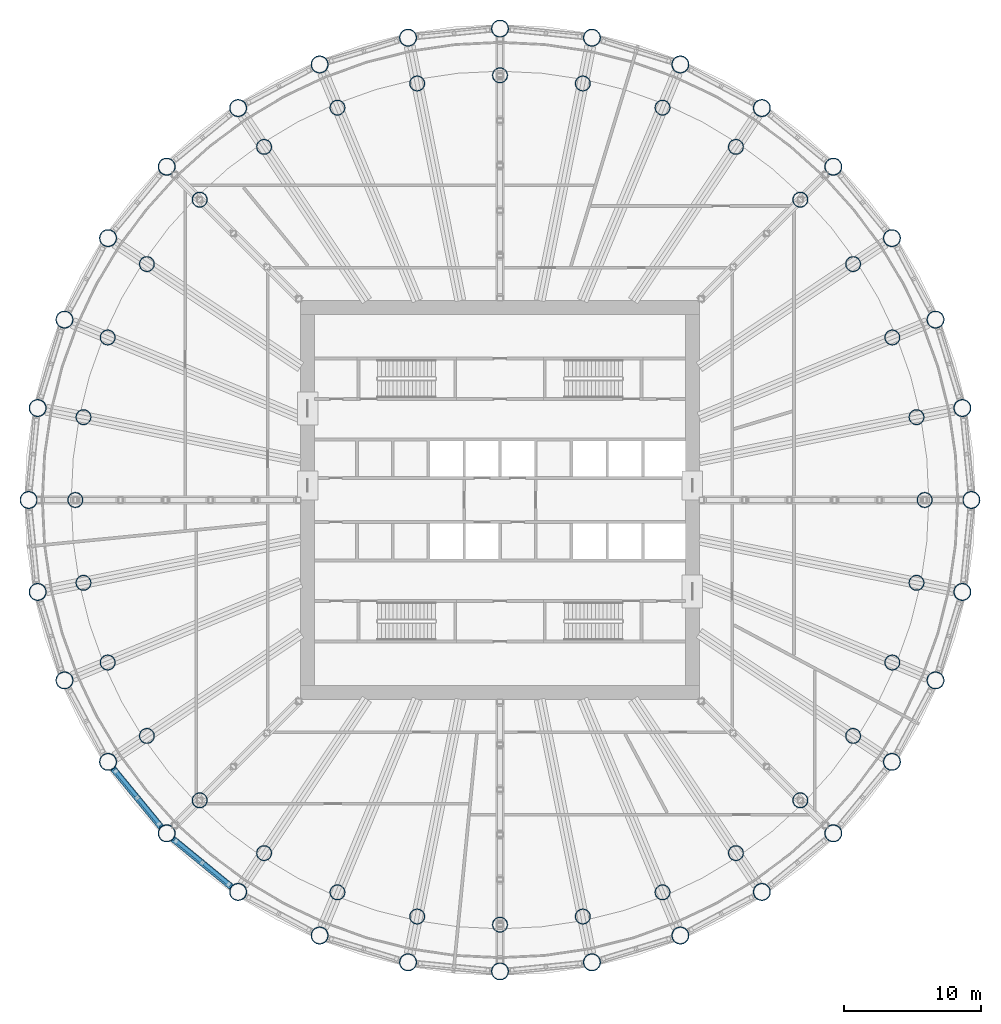
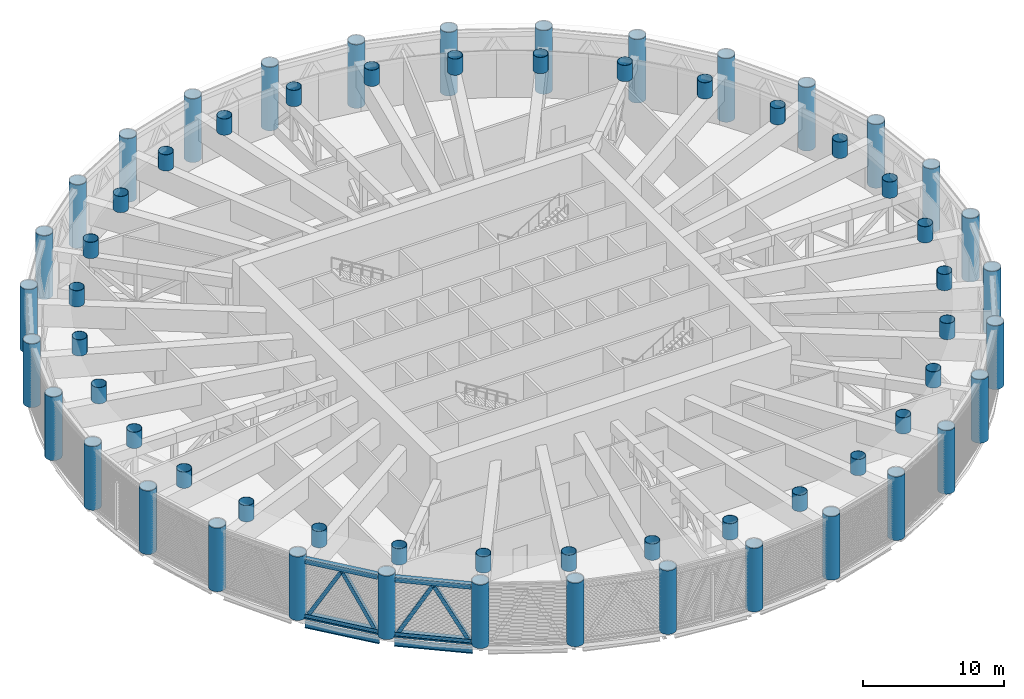
# One storey, part 1 of 29: 64 columns, 10 members, 2 beams, 2 elements without a shape of their own.
"""IFC4 building model written with IfcOpenShell, lengths in metres."""

import ifcopenshell
import ifcopenshell.guid

model = None  # the IFC model being written
_history = None  # IfcOwnerHistory: only IFC2X3 demands one
_inside = {}  # id of a spatial element -> (the spatial element, [elements in it])
_under = {}  # id of a project, library or spatial element -> (it, [spatial elements below it])
_declared = {}  # id of a project -> (the project, [libraries it declares])
_typed = {}  # id of a type object -> (the type object, [elements of that type])
_made_of = {}  # id of a material, layer set ... -> (it, [elements and type objects made of it])


def new_model(schema):
    """Start an empty IFC model of exactly this schema.

    Asked for "IFC4X3", IfcOpenShell would pick the latest addendum, in which some entities
    have other attributes; the version numbers below select the first issue.
    IFC2X3 requires an IfcOwnerHistory on every rooted entity: one is made here for all.
    """
    global model, _history
    if schema == "IFC4X3":
        model = ifcopenshell.file(schema_version=(4, 3, 0, 0))
    else:
        model = ifcopenshell.file(schema=schema)
    _inside.clear()
    _under.clear()
    _declared.clear()
    _typed.clear()
    _made_of.clear()
    _history = None
    if model.schema == "IFC2X3":
        org = make("IfcOrganization", Name="unknown")
        user = make(
            "IfcPersonAndOrganization",
            ThePerson=make("IfcPerson", FamilyName="unknown"),
            TheOrganization=org,
        )
        app = make(
            "IfcApplication",
            ApplicationDeveloper=org,
            Version="unknown",
            ApplicationFullName="unknown",
            ApplicationIdentifier="unknown",
        )
        _history = make(
            "IfcOwnerHistory",
            OwningUser=user,
            OwningApplication=app,
            ChangeAction="ADDED",
            CreationDate=0,
        )
    return model


def make(cls, **values):
    """One entity of the class cls with the attributes given. An attribute that is None is left unset."""
    return model.create_entity(
        cls, **{name: value for name, value in values.items() if value is not None}
    )


def rooted(cls, **values):
    """An entity with a GlobalId (a new one), such as an element, a storey or a relation."""
    return make(cls, GlobalId=ifcopenshell.guid.new(), OwnerHistory=_history, **values)


def si_unit(unit_type, name, prefix=None):
    """IfcSIUnit, for example si_unit("LENGTHUNIT", "METRE", prefix="MILLI")."""
    return make("IfcSIUnit", UnitType=unit_type, Prefix=prefix, Name=name)


def assignment(units):
    """IfcUnitAssignment: the units of a project."""
    return None if units is None else make("IfcUnitAssignment", Units=units)


def point(xyz):
    """IfcCartesianPoint."""
    return None if xyz is None else make("IfcCartesianPoint", Coordinates=xyz)


def direction(xyz):
    """IfcDirection."""
    return None if xyz is None else make("IfcDirection", DirectionRatios=xyz)


def frame(location, z_axis=None, x_axis=None):
    """IfcAxis2Placement3D, a coordinate frame: its origin and axes. An axis left out is left unset."""
    return make(
        "IfcAxis2Placement3D",
        Location=point(location),
        Axis=direction(z_axis),
        RefDirection=direction(x_axis),
    )


def frame_2d(location, x_axis=None):
    """IfcAxis2Placement2D, a coordinate frame in the plane: its origin and x axis."""
    return make(
        "IfcAxis2Placement2D", Location=point(location), RefDirection=direction(x_axis)
    )


def origin():
    """The frame at (0, 0, 0) with its axes left unset."""
    return frame((0.0, 0.0, 0.0))


def origin_2d():
    """The frame at (0, 0) in the plane with its x axis left unset."""
    return frame_2d((0.0, 0.0))


def place(relative_to, where):
    """IfcLocalPlacement: puts the frame where relative to a parent placement (None: the world)."""
    return make(
        "IfcLocalPlacement", PlacementRelTo=relative_to, RelativePlacement=where
    )


def context(
    kind, dimensions, precision=None, world=None, true_north=None, identifier=None
):
    """IfcGeometricRepresentationContext, for example the 3D "Model" context."""
    return make(
        "IfcGeometricRepresentationContext",
        ContextIdentifier=identifier,
        ContextType=kind,
        CoordinateSpaceDimension=dimensions,
        Precision=precision,
        WorldCoordinateSystem=world,
        TrueNorth=true_north,
    )


def subcontext(parent, identifier, kind, view, scale=None):
    """IfcGeometricRepresentationSubContext, for example "Body" below "Model"."""
    return make(
        "IfcGeometricRepresentationSubContext",
        ContextIdentifier=identifier,
        ContextType=kind,
        ParentContext=parent,
        TargetScale=scale,
        TargetView=view,
    )


def project(units=None, contexts=None):
    """IfcProject with its units and contexts."""
    return rooted(
        "IfcProject",
        Name="project",
        RepresentationContexts=contexts,
        UnitsInContext=assignment(units),
    )


def spatial(cls, under=None, at=None, **own):
    """A site, building, storey or space (cls), placed at a placement, below another one or the project."""
    s = rooted(cls, ObjectPlacement=at, **own)
    if under is not None:
        _under.setdefault(under.id(), (under, []))[1].append(s)
    return s


def profile(cls, at=None, kind="AREA", **sizes):
    """A parametric profile (cls). Its sizes go by their IFC names, for example OverallWidth=200.0."""
    return make(cls, ProfileType=kind, Position=at, **sizes)


def rectangle(**sizes):
    """IfcRectangleProfileDef."""
    return profile("IfcRectangleProfileDef", **sizes)


def hollow_rectangle(**sizes):
    """IfcRectangleHollowProfileDef."""
    return profile("IfcRectangleHollowProfileDef", **sizes)


def hollow_circle(**sizes):
    """IfcCircleHollowProfileDef."""
    return profile("IfcCircleHollowProfileDef", **sizes)


def i_section(**sizes):
    """IfcIShapeProfileDef."""
    return profile("IfcIShapeProfileDef", **sizes)


def extrude(swept, where, along, depth):
    """IfcExtrudedAreaSolid: the profile swept, set in the frame where, extruded along a direction by depth."""
    return make(
        "IfcExtrudedAreaSolid",
        SweptArea=swept,
        Position=where,
        ExtrudedDirection=direction(along),
        Depth=depth,
    )


def shape(context_of_items, identifier, shape_type, items):
    """IfcShapeRepresentation: the items that make up one representation, for example the "Body"."""
    return make(
        "IfcShapeRepresentation",
        ContextOfItems=context_of_items,
        RepresentationIdentifier=identifier,
        RepresentationType=shape_type,
        Items=items,
    )


def material(Name=None, Category=None):
    """IfcMaterial."""
    return make("IfcMaterial", Name=Name, Category=Category)


def material_profile(
    of_material, cross_section, Name=None, Category=None, Priority=None
):
    """IfcMaterialProfile: a cross section and its material."""
    return make(
        "IfcMaterialProfile",
        Name=Name,
        Material=of_material,
        Profile=cross_section,
        Priority=Priority,
        Category=Category,
    )


def profile_set(profiles, Name=None, composite=None):
    """IfcMaterialProfileSet."""
    return make(
        "IfcMaterialProfileSet",
        Name=Name,
        MaterialProfiles=profiles,
        CompositeProfile=composite,
    )


def made_of(thing, what):
    """Note that an element or type object is made of a material, layer set ...; save() writes the relation."""
    if what is not None:
        _made_of.setdefault(what.id(), (what, []))[1].append(thing)
    return thing


def type_object(cls, material=None, **own):
    """A type object (cls), such as IfcWallType, which elements share."""
    return made_of(rooted(cls, **own), material)


def element(
    cls,
    number,
    at=None,
    inside=None,
    cuts=None,
    type_object=None,
    material=None,
    context=None,
    identifier="Body",
    shape_type=None,
    held_by="IfcProductDefinitionShape",
    body=None,
    shapes=None,
    **own,
):
    """One element of the class cls, such as IfcWall. Its Tag is "e" and its number.

    at: its placement. inside: the storey or other place that contains it. cuts: it is an
    opening in that element (IfcRelVoidsElement). A single representation is given by context,
    identifier, shape_type and body (its items); several are given by shapes. held_by: the class
    of the entity that holds the representations. save() writes the other relations.
    """
    e = rooted(cls, Tag="e%d" % number, ObjectPlacement=at, **own)
    if body is not None:
        shapes = [shape(context, identifier, shape_type, body)]
    if shapes is not None:
        e.Representation = make(held_by, Representations=shapes)
    if inside is not None:
        _inside.setdefault(inside.id(), (inside, []))[1].append(e)
    if cuts is not None:
        rooted(
            "IfcRelVoidsElement", RelatingBuildingElement=cuts, RelatedOpeningElement=e
        )
    if type_object is not None:
        _typed.setdefault(type_object.id(), (type_object, []))[1].append(e)
    return made_of(e, material)


def aggregate(whole, parts):
    """IfcRelAggregates: a whole, such as a stair, and the parts it consists of."""
    return rooted("IfcRelAggregates", RelatingObject=whole, RelatedObjects=parts)


def save(model, path):
    """Write the relations noted so far, then the file.

    IfcRelAggregates (storeys below a building ...), IfcRelContainedInSpatialStructure (elements
    in a storey), IfcRelDefinesByType, IfcRelAssociatesMaterial and IfcRelDeclares: one each for
    every whole, place, type object, material and project.
    """
    for whole, parts in _under.values():
        aggregate(whole, parts)
    for where, things in _inside.values():
        rooted(
            "IfcRelContainedInSpatialStructure",
            RelatedElements=things,
            RelatingStructure=where,
        )
    for kind, things in _typed.values():
        rooted("IfcRelDefinesByType", RelatedObjects=things, RelatingType=kind)
    for what, things in _made_of.values():
        rooted("IfcRelAssociatesMaterial", RelatedObjects=things, RelatingMaterial=what)
    for by, libraries in _declared.values():
        rooted("IfcRelDeclares", RelatingContext=by, RelatedDefinitions=libraries)
    model.write(path)


model = new_model("IFC4")

# Units and contexts
model_context = context("Model", 3, precision=1e-05, world=origin(), true_north=direction((0.0, 1.0)))
body_context = subcontext(model_context, "Body", "Model", "MODEL_VIEW")
ifc_project = project(units=[si_unit("LENGTHUNIT", "METRE"), si_unit("AREAUNIT", "SQUARE_METRE"), si_unit("VOLUMEUNIT", "CUBIC_METRE"), si_unit("PLANEANGLEUNIT", "RADIAN"), si_unit("MASSUNIT", "GRAM", prefix="KILO")], contexts=[model_context])

# Site, building, storey
site_placement = place(None, origin())
site = spatial("IfcSite", under=ifc_project, at=site_placement, CompositionType="ELEMENT")
building_placement = place(site_placement, origin())
building = spatial("IfcBuilding", under=site, at=building_placement, Name="Corvane Civic Tower", CompositionType="ELEMENT")
storey_placement = place(building_placement, frame((0.0, 0.0, 138.5)))
storey = spatial("IfcBuildingStorey", under=building, at=storey_placement, Name="L32", CompositionType="ELEMENT", Elevation=138.5)

# Columns
ifc_material_1 = material(Name="Steel ASTM A572 Gr 50", Category="steel")
ifc_material_profile_1 = material_profile(ifc_material_1, hollow_circle(Radius=0.550048828125, WallThickness=0.031982421875, at=origin_2d()), Name="CHS1100X32")
ifc_profile_set_1 = profile_set([ifc_material_profile_1], Name="Steel ASTM A572 Gr 50")
column_type_1 = type_object("IfcColumnType", Name="COMPOSITE COLUMN CHS1100X32", PredefinedType="COLUMN", material=ifc_profile_set_1)
for number, where, z_axis, x_axis, name in (
    (1, (0.0, 30.89990234375, 4.10009765625), (0.0, 0.0, 1.0), (1.0, 0.0, 0.0), "COL-L32-C01"),
    (2, (6.0283203125, 30.30615234375, 4.10009765625), (0.0, 0.0, 1.0), (1.0, 0.0, 0.0), "COL-L32-C02"),
    (3, (11.824951171875, 28.5478515625, 4.10009765625), (0.0, 0.0, 1.0), (1.0, 0.0, 0.0), "COL-L32-C03"),
    (4, (17.167236328125, 25.6923828125, 4.10009765625), (0.0, 0.0, 1.0), (1.0, 0.0, 0.0), "COL-L32-C04"),
    (5, (21.849609375, 21.849609375, 4.10009765625), (0.0, 0.0, 1.0), (1.0, 0.0, 0.0), "COL-L32-C05"),
    (6, (25.6923828125, 17.167236328125, 4.10009765625), (0.0, 0.0, 1.0), (1.0, 0.0, 0.0), "COL-L32-C06"),
    (7, (28.5478515625, 11.824951171875, 4.10009765625), (0.0, 0.0, 1.0), (1.0, 0.0, 0.0), "COL-L32-C07"),
    (8, (30.30615234375, 6.0283203125, 4.10009765625), (0.0, 0.0, 1.0), (1.0, 0.0, 0.0), "COL-L32-C08"),
    (9, (30.89990234375, 0.0, 4.10009765625), (0.0, 0.0, 1.0), (1.0, 0.0, 0.0), "COL-L32-C09"),
    (10, (30.30615234375, -6.0283203125, 4.10009765625), (0.0, 0.0, 1.0), (1.0, 0.0, 0.0), "COL-L32-C10"),
    (11, (28.5478515625, -11.824951171875, 4.10009765625), (0.0, 0.0, 1.0), (1.0, 0.0, 0.0), "COL-L32-C11"),
    (12, (25.6923828125, -17.167236328125, 4.10009765625), (0.0, 0.0, 1.0), (1.0, 0.0, 0.0), "COL-L32-C12"),
    (13, (21.849609375, -21.849609375, 4.10009765625), (0.0, 0.0, 1.0), (1.0, 0.0, 0.0), "COL-L32-C13"),
    (14, (17.167236328125, -25.6923828125, 4.10009765625), (0.0, 0.0, 1.0), (1.0, 0.0, 0.0), "COL-L32-C14"),
    (15, (11.824951171875, -28.5478515625, 4.10009765625), (0.0, 0.0, 1.0), (1.0, 0.0, 0.0), "COL-L32-C15"),
    (16, (6.0283203125, -30.30615234375, 4.10009765625), (0.0, 0.0, 1.0), (1.0, 0.0, 0.0), "COL-L32-C16"),
    (17, (0.0, -30.89990234375, 4.10009765625), (0.0, 0.0, 1.0), (1.0, 0.0, 0.0), "COL-L32-C17"),
    (18, (-6.0283203125, -30.30615234375, 4.10009765625), (0.0, 0.0, 1.0), (1.0, 0.0, 0.0), "COL-L32-C18"),
    (19, (-11.824951171875, -28.5478515625, 4.10009765625), (0.0, 0.0, 1.0), (1.0, 0.0, 0.0), "COL-L32-C19"),
    (20, (-17.167236328125, -25.6923828125, 4.10009765625), (0.0, 0.0, 1.0), (1.0, 0.0, 0.0), "COL-L32-C20"),
    (21, (-21.849609375, -21.849609375, 4.10009765625), (0.0, 0.0, 1.0), (1.0, 0.0, 0.0), "COL-L32-C21"),
    (22, (-25.6923828125, -17.167236328125, 4.10009765625), (0.0, 0.0, 1.0), (1.0, 0.0, 0.0), "COL-L32-C22"),
    (23, (-28.5478515625, -11.824951171875, 4.10009765625), (0.0, 0.0, 1.0), (1.0, 0.0, 0.0), "COL-L32-C23"),
    (24, (-30.30615234375, -6.0283203125, 4.10009765625), (0.0, 0.0, 1.0), (1.0, 0.0, 0.0), "COL-L32-C24"),
    (25, (-30.89990234375, 0.0, 4.10009765625), (0.0, 0.0, 1.0), (1.0, 0.0, 0.0), "COL-L32-C25"),
    (26, (-30.30615234375, 6.0283203125, 4.10009765625), (0.0, 0.0, 1.0), (1.0, 0.0, 0.0), "COL-L32-C26"),
    (27, (-28.5478515625, 11.824951171875, 4.10009765625), (0.0, 0.0, 1.0), (1.0, 0.0, 0.0), "COL-L32-C27"),
    (28, (-25.6923828125, 17.167236328125, 4.10009765625), (0.0, 0.0, 1.0), (1.0, 0.0, 0.0), "COL-L32-C28"),
    (29, (-21.849609375, 21.849609375, 4.10009765625), (0.0, 0.0, 1.0), (1.0, 0.0, 0.0), "COL-L32-C29"),
    (30, (-17.167236328125, 25.6923828125, 4.10009765625), (0.0, 0.0, 1.0), (1.0, 0.0, 0.0), "COL-L32-C30"),
    (31, (-11.824951171875, 28.5478515625, 4.10009765625), (0.0, 0.0, 1.0), (1.0, 0.0, 0.0), "COL-L32-C31"),
    (32, (-6.0283203125, 30.30615234375, 4.10009765625), (0.0, 0.0, 1.0), (1.0, 0.0, 0.0), "COL-L32-C32"),
):
    element("IfcColumn", number, at=place(storey_placement, frame(where, z_axis=z_axis, x_axis=x_axis)), inside=storey, type_object=column_type_1, Name=name, PredefinedType="COLUMN", context=body_context, shape_type="SweptSolid", body=[
        extrude(hollow_circle(Radius=0.550048828125, WallThickness=0.031982421875, at=origin_2d()), origin(), (0.0, 0.0, 1.0), 1.39990234375),
    ])
ifc_material_2 = material(Name="Steel ASTM A572 Gr 50", Category="steel")
ifc_material_profile_2 = material_profile(ifc_material_2, hollow_circle(Radius=0.625, WallThickness=0.035888671875, at=origin_2d()), Name="CHS1250X36")
ifc_profile_set_2 = profile_set([ifc_material_profile_2], Name="Steel ASTM A572 Gr 50")
column_type_2 = type_object("IfcColumnType", Name="COMPOSITE COLUMN CHS1250X36", PredefinedType="COLUMN", material=ifc_profile_set_2)
for number, where, z_axis, x_axis, name in (
    (33, (0.0, 34.300048828125, 0.0), (0.0, 0.0, 1.0), (1.0, 0.0, 0.0), "COL-L32-B01"),
    (34, (6.691650390625, 33.640869140625, 0.0), (0.0, 0.0, 1.0), (1.0, 0.0, 0.0), "COL-L32-B02"),
    (35, (13.1259765625, 31.68896484375, 0.0), (0.0, 0.0, 1.0), (1.0, 0.0, 0.0), "COL-L32-B03"),
    (36, (19.05615234375, 28.519287109375, 0.0), (0.0, 0.0, 1.0), (1.0, 0.0, 0.0), "COL-L32-B04"),
    (37, (24.253662109375, 24.253662109375, 0.0), (0.0, 0.0, 1.0), (1.0, 0.0, 0.0), "COL-L32-B05"),
    (38, (28.519287109375, 19.05615234375, 0.0), (0.0, 0.0, 1.0), (1.0, 0.0, 0.0), "COL-L32-B06"),
    (39, (31.68896484375, 13.1259765625, 0.0), (0.0, 0.0, 1.0), (1.0, 0.0, 0.0), "COL-L32-B07"),
    (40, (33.640869140625, 6.691650390625, 0.0), (0.0, 0.0, 1.0), (1.0, 0.0, 0.0), "COL-L32-B08"),
    (41, (34.300048828125, 0.0, 0.0), (0.0, 0.0, 1.0), (1.0, 0.0, 0.0), "COL-L32-B09"),
    (42, (33.640869140625, -6.691650390625, 0.0), (0.0, 0.0, 1.0), (1.0, 0.0, 0.0), "COL-L32-B10"),
    (43, (31.68896484375, -13.1259765625, 0.0), (0.0, 0.0, 1.0), (1.0, 0.0, 0.0), "COL-L32-B11"),
    (44, (28.519287109375, -19.05615234375, 0.0), (0.0, 0.0, 1.0), (1.0, 0.0, 0.0), "COL-L32-B12"),
    (45, (24.253662109375, -24.253662109375, 0.0), (0.0, 0.0, 1.0), (1.0, 0.0, 0.0), "COL-L32-B13"),
    (46, (19.05615234375, -28.519287109375, 0.0), (0.0, 0.0, 1.0), (1.0, 0.0, 0.0), "COL-L32-B14"),
    (47, (13.1259765625, -31.68896484375, 0.0), (0.0, 0.0, 1.0), (1.0, 0.0, 0.0), "COL-L32-B15"),
    (48, (6.691650390625, -33.640869140625, 0.0), (0.0, 0.0, 1.0), (1.0, 0.0, 0.0), "COL-L32-B16"),
    (49, (0.0, -34.300048828125, 0.0), (0.0, 0.0, 1.0), (1.0, 0.0, 0.0), "COL-L32-B17"),
    (50, (-6.691650390625, -33.640869140625, 0.0), (0.0, 0.0, 1.0), (1.0, 0.0, 0.0), "COL-L32-B18"),
    (51, (-13.1259765625, -31.68896484375, 0.0), (0.0, 0.0, 1.0), (1.0, 0.0, 0.0), "COL-L32-B19"),
    (52, (-19.05615234375, -28.519287109375, 0.0), (0.0, 0.0, 1.0), (1.0, 0.0, 0.0), "COL-L32-B20"),
    (53, (-24.253662109375, -24.253662109375, 0.0), (0.0, 0.0, 1.0), (1.0, 0.0, 0.0), "COL-L32-B21"),
    (54, (-28.519287109375, -19.05615234375, 0.0), (0.0, 0.0, 1.0), (1.0, 0.0, 0.0), "COL-L32-B22"),
    (55, (-31.68896484375, -13.1259765625, 0.0), (0.0, 0.0, 1.0), (1.0, 0.0, 0.0), "COL-L32-B23"),
    (56, (-33.640869140625, -6.691650390625, 0.0), (0.0, 0.0, 1.0), (1.0, 0.0, 0.0), "COL-L32-B24"),
    (57, (-34.300048828125, 0.0, 0.0), (0.0, 0.0, 1.0), (1.0, 0.0, 0.0), "COL-L32-B25"),
    (58, (-33.640869140625, 6.691650390625, 0.0), (0.0, 0.0, 1.0), (1.0, 0.0, 0.0), "COL-L32-B26"),
    (59, (-31.68896484375, 13.1259765625, 0.0), (0.0, 0.0, 1.0), (1.0, 0.0, 0.0), "COL-L32-B27"),
    (60, (-28.519287109375, 19.05615234375, 0.0), (0.0, 0.0, 1.0), (1.0, 0.0, 0.0), "COL-L32-B28"),
    (61, (-24.253662109375, 24.253662109375, 0.0), (0.0, 0.0, 1.0), (1.0, 0.0, 0.0), "COL-L32-B29"),
    (62, (-19.05615234375, 28.519287109375, 0.0), (0.0, 0.0, 1.0), (1.0, 0.0, 0.0), "COL-L32-B30"),
    (63, (-13.1259765625, 31.68896484375, 0.0), (0.0, 0.0, 1.0), (1.0, 0.0, 0.0), "COL-L32-B31"),
    (64, (-6.691650390625, 33.640869140625, 0.0), (0.0, 0.0, 1.0), (1.0, 0.0, 0.0), "COL-L32-B32"),
):
    element("IfcColumn", number, at=place(storey_placement, frame(where, z_axis=z_axis, x_axis=x_axis)), inside=storey, type_object=column_type_2, Name=name, PredefinedType="COLUMN", context=body_context, shape_type="SweptSolid", body=[
        extrude(hollow_circle(Radius=0.625, WallThickness=0.035888671875, at=origin_2d()), origin(), (0.0, 0.0, 1.0), 5.5),
    ])

# Members
ifc_material_3 = material(Name="Steel ASTM A500 Gr C", Category="steel")
ifc_material_profile_3 = material_profile(ifc_material_3, hollow_rectangle(XDim=0.406494140625, YDim=0.406494140625, WallThickness=0.0146484375, at=origin_2d()), Name="HSS16X16X5/8")
ifc_profile_set_3 = profile_set([ifc_material_profile_3], Name="Steel ASTM A500 Gr C")
member_type_1 = type_object("IfcMemberType", Name="BELT CHORD HSS16X16X5/8", PredefinedType="CHORD", material=ifc_profile_set_3)
for number, where, z_axis, x_axis, name in (
    (65, (-19.539306640625, -28.122802734375, 4.94677734375), (-0.772992607919, 0.634415028276, 0.0), (-0.634415028276, -0.772992607919, 0.0), "Belt truss BT-L32"),
    (66, (-19.539306640625, -28.122802734375, 0.203125), (-0.772992607919, 0.634415028276, 0.0), (-0.634415028276, -0.772992607919, 0.0), "Belt truss BT-L32"),
    (67, (-24.650146484375, -23.7705078125, 4.94677734375), (-0.634415028276, 0.772992607919, 0.0), (-0.772992607919, -0.634415028276, 0.0), "Belt truss BT-L32"),
    (68, (-24.650146484375, -23.7705078125, 0.203125), (-0.634415028276, 0.772992607919, 0.0), (-0.772992607919, -0.634415028276, 0.0), "Belt truss BT-L32"),
):
    element("IfcMember", number, at=place(storey_placement, frame(where, z_axis=z_axis, x_axis=x_axis)), inside=storey, type_object=member_type_1, Name=name, PredefinedType="CHORD", context=body_context, shape_type="SweptSolid", body=[
        extrude(hollow_rectangle(XDim=0.406494140625, YDim=0.406494140625, WallThickness=0.0146484375, at=origin_2d()), origin(), (0.0, 0.0, 1.0), 5.473876953125),
    ])
ifc_material_4 = material(Name="Steel ASTM A500 Gr C", Category="steel")
ifc_material_profile_4 = material_profile(ifc_material_4, hollow_rectangle(XDim=0.3046875, YDim=0.3046875, WallThickness=0.01171875, at=origin_2d()), Name="HSS12X12X1/2")
ifc_profile_set_4 = profile_set([ifc_material_profile_4], Name="Steel ASTM A500 Gr C")
member_type_2 = type_object("IfcMemberType", Name="BELT DIAGONAL HSS12X12X1/2", PredefinedType="BRACE", material=ifc_profile_set_4)
for number, where, z_axis, x_axis, name in (
    (69, (-19.732421875, -27.964111328125, 0.406494140625), (-0.384549956016, 0.315550706765, 0.867495869032), (-0.634343688691, -0.773051152653, 0.0), "Belt truss BT-L32"),
    (70, (-23.577392578125, -24.808837890625, 0.406494140625), (0.384508344276, -0.315556632044, 0.867512158505), (0.634391829389, 0.773011647263, 0.0), "Belt truss BT-L32"),
    (71, (-24.808837890625, -23.577392578125, 0.406494140625), (-0.315556632044, 0.384508344276, 0.867512158505), (-0.773011647263, -0.634391829389, 0.0), "Belt truss BT-L32"),
    (72, (-27.964111328125, -19.732421875, 0.406494140625), (0.315550706765, -0.384549956016, 0.867495869032), (0.773051152653, 0.634343688691, 0.0), "Belt truss BT-L32"),
):
    element("IfcMember", number, at=place(storey_placement, frame(where, z_axis=z_axis, x_axis=x_axis)), inside=storey, type_object=member_type_2, Name=name, PredefinedType="BRACE", context=body_context, shape_type="SweptSolid", body=[
        extrude(hollow_rectangle(XDim=0.3046875, YDim=0.3046875, WallThickness=0.01171875, at=origin_2d()), origin(), (0.0, 0.0, 1.0), 4.99951171875),
    ])

# Beams
ifc_material_5 = material(Name="Steel ASTM A992 Gr 50", Category="steel")
ifc_material_profile_5 = material_profile(ifc_material_5, i_section(OverallWidth=0.209228515625, OverallDepth=0.533447265625, WebThickness=0.01025390625, FlangeThickness=0.015625, at=origin_2d()), Name="W21X62")
ifc_profile_set_5 = profile_set([ifc_material_profile_5], Name="Steel ASTM A992 Gr 50")
beam_type = type_object("IfcBeamType", Name="EDGE BEAM W21X62", PredefinedType="BEAM", material=ifc_profile_set_5)
for number, where, z_axis, x_axis, name in (
    (73, (-19.481201171875, -28.17041015625, -0.61669921875), (-0.773006775372, 0.634397765782, 0.0), (-0.634397765782, -0.773006775372, 0.0), "BM-L32-E20"),
    (74, (-24.6025390625, -23.82861328125, -0.61669921875), (-0.634397765782, 0.773006775372, 0.0), (-0.773006775372, -0.634397765782, 0.0), "BM-L32-E21"),
):
    element("IfcBeam", number, at=place(storey_placement, frame(where, z_axis=z_axis, x_axis=x_axis)), inside=storey, type_object=beam_type, Name=name, PredefinedType="BEAM", context=body_context, shape_type="SweptSolid", body=[
        extrude(i_section(OverallWidth=0.209228515625, OverallDepth=0.533447265625, WebThickness=0.01025390625, FlangeThickness=0.015625, at=origin_2d()), origin(), (0.0, 0.0, 1.0), 5.6240234375),
    ])

# Curtain wall, member
ifc_material_6 = material(Name="Anodised aluminium bronze", Category="aluminium")
curtain_wall_type = type_object("IfcCurtainWallType", Name="TOWER CW-LV LOUVRE SCREEN WALL", PredefinedType="NOTDEFINED", material=ifc_material_6)
curtain_wall_1_placement = place(storey_placement, origin())
curtain_wall_1 = element("IfcCurtainWall", 75, at=curtain_wall_1_placement, inside=storey, type_object=curtain_wall_type, Name="Louvre screen wall CW-LV L32 bay 20", PredefinedType="NOTDEFINED")
ifc_material_7 = material(Name="Anodised aluminium bronze", Category="aluminium")
ifc_material_profile_6 = material_profile(ifc_material_7, rectangle(XDim=0.139892578125, YDim=0.1201171875, at=origin_2d()), Name="TOWER CW-LV TRANSOM 140x120")
ifc_profile_set_6 = profile_set([ifc_material_profile_6], Name="Anodised aluminium bronze")
member_type_3 = type_object("IfcMemberType", Name="TOWER CW-LV TRANSOM 140x120", PredefinedType="USERDEFINED", material=ifc_profile_set_6)
member_1_placement = place(storey_placement, frame((-19.609619140625, -28.297119140625, 0.06005859375), z_axis=(-0.772996431642, 0.634410369295, 0.0), x_axis=(-0.634410369295, -0.772996431642, 0.0)))
member_1 = element("IfcMember", 76, at=member_1_placement, type_object=member_type_3, Name="Transom CW-LV L32 20.1", ObjectType="TRANSOM", PredefinedType="USERDEFINED", context=body_context, shape_type="SweptSolid", body=[
    extrude(rectangle(XDim=0.139892578125, YDim=0.1201171875, at=origin_2d()), origin(), (0.0, 0.0, 1.0), 5.586181640625),
])
aggregate(curtain_wall_1, [member_1])

curtain_wall_2_placement = place(storey_placement, origin())
curtain_wall_2 = element("IfcCurtainWall", 77, at=curtain_wall_2_placement, inside=storey, type_object=curtain_wall_type, Name="Louvre screen wall CW-LV L32 bay 21", PredefinedType="NOTDEFINED")
member_2_placement = place(storey_placement, frame((-24.753173828125, -23.927734375, 0.06005859375), z_axis=(-0.634410369295, 0.772996431642, 0.0), x_axis=(-0.772996431642, -0.634410369295, 0.0)))
member_2 = element("IfcMember", 78, at=member_2_placement, type_object=member_type_3, Name="Transom CW-LV L32 21.1", ObjectType="TRANSOM", PredefinedType="USERDEFINED", context=body_context, shape_type="SweptSolid", body=[
    extrude(rectangle(XDim=0.139892578125, YDim=0.1201171875, at=origin_2d()), origin(), (0.0, 0.0, 1.0), 5.586181640625),
])
aggregate(curtain_wall_2, [member_2])

save(model, "model.ifc")
